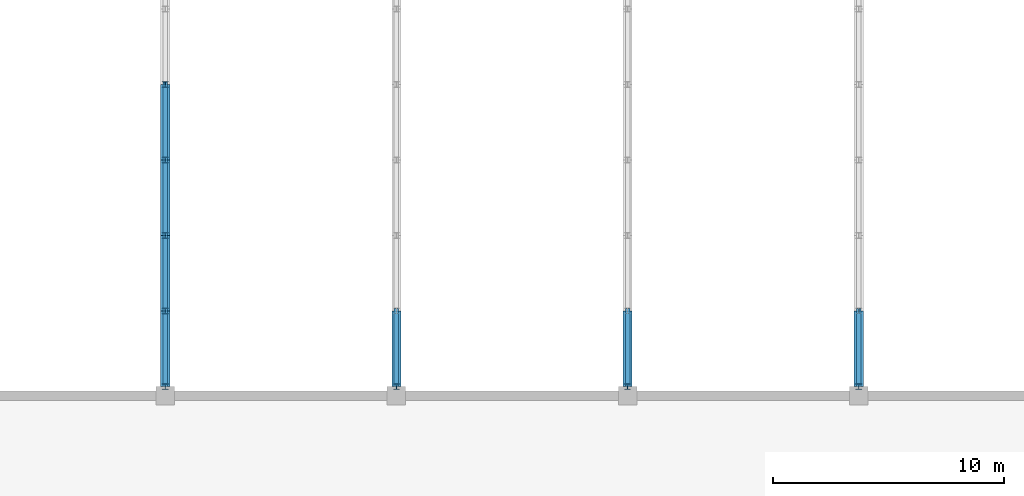
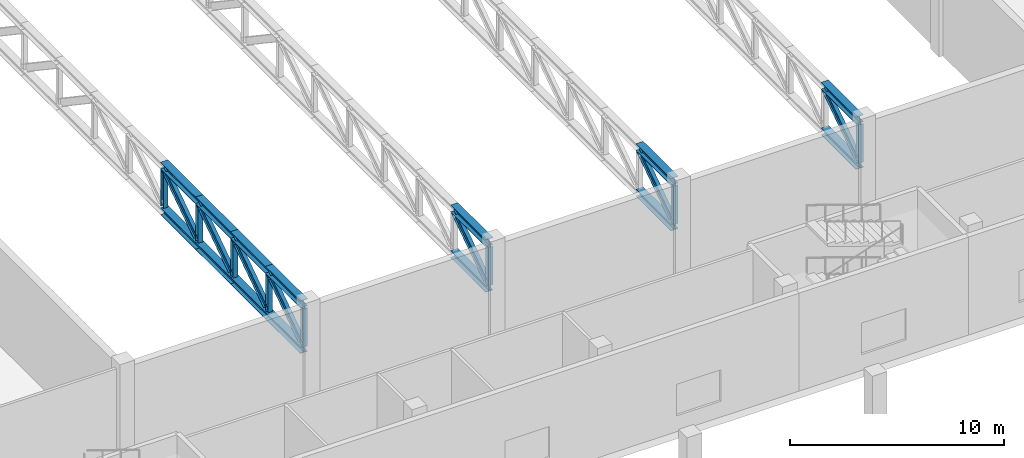
# One storey, part 17 of 51: 29 members.
"""IFC4 building model written with IfcOpenShell, lengths in metres."""

from ifc_helpers import new_model, si_unit, direction, frame, origin, origin_2d, place, context, subcontext, project, spatial, i_section, extrude, material, material_profile, profile_set, type_object, element, save


model = new_model("IFC4")

# Units and contexts
model_context = context("Model", 3, precision=1e-05, world=origin(), true_north=direction((0.0, 1.0)))
body_context = subcontext(model_context, "Body", "Model", "MODEL_VIEW")
ifc_project = project(units=[si_unit("LENGTHUNIT", "METRE"), si_unit("AREAUNIT", "SQUARE_METRE"), si_unit("VOLUMEUNIT", "CUBIC_METRE"), si_unit("PLANEANGLEUNIT", "RADIAN"), si_unit("MASSUNIT", "GRAM", prefix="KILO")], contexts=[model_context])

# Site, building, storey
site_placement = place(None, origin())
site = spatial("IfcSite", under=ifc_project, at=site_placement, CompositionType="ELEMENT")
building_placement = place(site_placement, origin())
building = spatial("IfcBuilding", under=site, at=building_placement, Name="Jabali Bay Hotel Tower and Convention Centre", CompositionType="ELEMENT")
storey_placement = place(building_placement, frame((0.0, 0.0, 9.0)))
storey = spatial("IfcBuildingStorey", under=building, at=storey_placement, Name="L01", CompositionType="ELEMENT", Elevation=9.0)

# Members
ifc_material = material(Name="Steel Q355B", Category="steel")
ifc_material_profile_1 = material_profile(ifc_material, i_section(OverallWidth=0.39990234375, OverallDepth=0.39990234375, WebThickness=0.012939453125, FlangeThickness=0.02099609375, at=origin_2d()), Name="HW400x400x13x21")
ifc_profile_set_1 = profile_set([ifc_material_profile_1], Name="Steel Q355B")
member_type_1 = type_object("IfcMemberType", Name="CC Floor Truss Chord HW400x400x13x21", PredefinedType="CHORD", material=ifc_profile_set_1)
for number, where, z_axis, x_axis, name in (
    (1, (180.699951171875, 60.39990234375, 5.389892578125), (0.0, 1.0, 0.0), (-1.0, 0.0, 0.0), "CC floor truss F1 top chord 1"),
    (2, (180.699951171875, 60.39990234375, 2.7900390625), (0.0, 1.0, 0.0), (-1.0, 0.0, 0.0), "CC floor truss F1 bottom chord 1"),
):
    element("IfcMember", number, at=place(storey_placement, frame(where, z_axis=z_axis, x_axis=x_axis)), inside=storey, type_object=member_type_1, Name=name, PredefinedType="CHORD", context=body_context, shape_type="SweptSolid", body=[
        extrude(i_section(OverallWidth=0.39990234375, OverallDepth=0.39990234375, WebThickness=0.012939453125, FlangeThickness=0.02099609375, at=origin_2d()), origin(), (0.0, 0.0, 1.0), 3.266845703125),
    ])
for number, where, z_axis, x_axis, name in (
    (3, (180.699951171875, 63.666748046875, 5.389892578125), (0.0, 1.0, 0.0), (-1.0, 0.0, 0.0), "CC floor truss F1 top chord 2"),
    (4, (180.699951171875, 63.666748046875, 2.7900390625), (0.0, 1.0, 0.0), (-1.0, 0.0, 0.0), "CC floor truss F1 bottom chord 2"),
    (5, (180.699951171875, 66.933349609375, 5.389892578125), (0.0, 1.0, 0.0), (-1.0, 0.0, 0.0), "CC floor truss F1 top chord 3"),
    (6, (180.699951171875, 66.933349609375, 2.7900390625), (0.0, 1.0, 0.0), (-1.0, 0.0, 0.0), "CC floor truss F1 bottom chord 3"),
    (7, (180.699951171875, 70.199951171875, 5.389892578125), (0.0, 1.0, 0.0), (-1.0, 0.0, 0.0), "CC floor truss F1 top chord 4"),
    (8, (180.699951171875, 70.199951171875, 2.7900390625), (0.0, 1.0, 0.0), (-1.0, 0.0, 0.0), "CC floor truss F1 bottom chord 4"),
):
    element("IfcMember", number, at=place(storey_placement, frame(where, z_axis=z_axis, x_axis=x_axis)), inside=storey, type_object=member_type_1, Name=name, PredefinedType="CHORD", context=body_context, shape_type="SweptSolid", body=[
        extrude(i_section(OverallWidth=0.39990234375, OverallDepth=0.39990234375, WebThickness=0.012939453125, FlangeThickness=0.02099609375, at=origin_2d()), origin(), (0.0, 0.0, 1.0), 3.2666015625),
    ])
for number, where, z_axis, x_axis, name in (
    (9, (190.699951171875, 60.39990234375, 5.389892578125), (0.0, 1.0, 0.0), (-1.0, 0.0, 0.0), "CC floor truss F2 top chord 1"),
    (10, (190.699951171875, 60.39990234375, 2.7900390625), (0.0, 1.0, 0.0), (-1.0, 0.0, 0.0), "CC floor truss F2 bottom chord 1"),
    (11, (200.699951171875, 60.39990234375, 5.389892578125), (0.0, 1.0, 0.0), (-1.0, 0.0, 0.0), "CC floor truss F3 top chord 1"),
    (12, (200.699951171875, 60.39990234375, 2.7900390625), (0.0, 1.0, 0.0), (-1.0, 0.0, 0.0), "CC floor truss F3 bottom chord 1"),
    (13, (210.699951171875, 60.39990234375, 5.389892578125), (0.0, 1.0, 0.0), (-1.0, 0.0, 0.0), "CC floor truss F4 top chord 1"),
    (14, (210.699951171875, 60.39990234375, 2.7900390625), (0.0, 1.0, 0.0), (-1.0, 0.0, 0.0), "CC floor truss F4 bottom chord 1"),
):
    element("IfcMember", number, at=place(storey_placement, frame(where, z_axis=z_axis, x_axis=x_axis)), inside=storey, type_object=member_type_1, Name=name, PredefinedType="CHORD", context=body_context, shape_type="SweptSolid", body=[
        extrude(i_section(OverallWidth=0.39990234375, OverallDepth=0.39990234375, WebThickness=0.012939453125, FlangeThickness=0.02099609375, at=origin_2d()), origin(), (0.0, 0.0, 1.0), 3.266845703125),
    ])
ifc_material_profile_2 = material_profile(ifc_material, i_section(OverallWidth=0.199951171875, OverallDepth=0.39990234375, WebThickness=0.008056640625, FlangeThickness=0.012939453125, at=origin_2d()), Name="HN400x200x8x13")
ifc_profile_set_2 = profile_set([ifc_material_profile_2], Name="Steel Q355B")
member_type_2 = type_object("IfcMemberType", Name="CC Floor Truss Diagonal HN400x200x8x13", PredefinedType="BRACE", material=ifc_profile_set_2)
member_placement = place(storey_placement, frame((180.699951171875, 60.39990234375, 2.989990234375), z_axis=(0.0, 0.829456854988, 0.558570788453), x_axis=(-1.0, 0.0, 0.0)))
element("IfcMember", 15, at=member_placement, inside=storey, type_object=member_type_2, Name="CC floor truss F1 diagonal 1", PredefinedType="BRACE", context=body_context, shape_type="SweptSolid", body=[
    extrude(i_section(OverallWidth=0.199951171875, OverallDepth=0.39990234375, WebThickness=0.008056640625, FlangeThickness=0.012939453125, at=origin_2d()), origin(), (0.0, 0.0, 1.0), 3.9384765625),
])
for number, where, z_axis, x_axis, name in (
    (16, (180.699951171875, 63.666748046875, 2.989990234375), (0.0, 0.829437513265, 0.55859950912), (-1.0, 0.0, 0.0), "CC floor truss F1 diagonal 2"),
    (17, (180.699951171875, 66.933349609375, 2.989990234375), (0.0, 0.829437513265, 0.55859950912), (-1.0, 0.0, 0.0), "CC floor truss F1 diagonal 3"),
    (18, (180.699951171875, 70.199951171875, 2.989990234375), (0.0, 0.829437513265, 0.55859950912), (-1.0, 0.0, 0.0), "CC floor truss F1 diagonal 4"),
):
    element("IfcMember", number, at=place(storey_placement, frame(where, z_axis=z_axis, x_axis=x_axis)), inside=storey, type_object=member_type_2, Name=name, PredefinedType="BRACE", context=body_context, shape_type="SweptSolid", body=[
        extrude(i_section(OverallWidth=0.199951171875, OverallDepth=0.39990234375, WebThickness=0.008056640625, FlangeThickness=0.012939453125, at=origin_2d()), origin(), (0.0, 0.0, 1.0), 3.938232421875),
    ])
for number, where, z_axis, x_axis, name in (
    (19, (190.699951171875, 60.39990234375, 2.989990234375), (0.0, 0.829456854988, 0.558570788453), (-1.0, 0.0, 0.0), "CC floor truss F2 diagonal 1"),
    (20, (200.699951171875, 60.39990234375, 2.989990234375), (0.0, 0.829456854988, 0.558570788453), (-1.0, 0.0, 0.0), "CC floor truss F3 diagonal 1"),
    (21, (210.699951171875, 60.39990234375, 2.989990234375), (0.0, 0.829456854988, 0.558570788453), (-1.0, 0.0, 0.0), "CC floor truss F4 diagonal 1"),
):
    element("IfcMember", number, at=place(storey_placement, frame(where, z_axis=z_axis, x_axis=x_axis)), inside=storey, type_object=member_type_2, Name=name, PredefinedType="BRACE", context=body_context, shape_type="SweptSolid", body=[
        extrude(i_section(OverallWidth=0.199951171875, OverallDepth=0.39990234375, WebThickness=0.008056640625, FlangeThickness=0.012939453125, at=origin_2d()), origin(), (0.0, 0.0, 1.0), 3.9384765625),
    ])
ifc_material_profile_3 = material_profile(ifc_material, i_section(OverallWidth=0.25, OverallDepth=0.25, WebThickness=0.009033203125, FlangeThickness=0.013916015625, at=origin_2d()), Name="HW250x250x9x14")
ifc_profile_set_3 = profile_set([ifc_material_profile_3], Name="Steel Q355B")
member_type_3 = type_object("IfcMemberType", Name="CC Floor Truss Post HW250x250x9x14", PredefinedType="POST", material=ifc_profile_set_3)
for number, where, z_axis, x_axis, name in (
    (22, (180.699951171875, 60.39990234375, 2.989990234375), (0.0, 0.0, 1.0), (1.0, 0.0, 0.0), "CC floor truss F1 post 1"),
    (23, (180.699951171875, 63.666748046875, 2.989990234375), (0.0, 0.0, 1.0), (1.0, 0.0, 0.0), "CC floor truss F1 post 2"),
    (24, (180.699951171875, 66.933349609375, 2.989990234375), (0.0, 0.0, 1.0), (1.0, 0.0, 0.0), "CC floor truss F1 post 3"),
    (25, (180.699951171875, 70.199951171875, 2.989990234375), (0.0, 0.0, 1.0), (1.0, 0.0, 0.0), "CC floor truss F1 post 4"),
    (26, (180.699951171875, 73.466552734375, 2.989990234375), (0.0, 0.0, 1.0), (1.0, 0.0, 0.0), "CC floor truss F1 post 5"),
    (27, (190.699951171875, 60.39990234375, 2.989990234375), (0.0, 0.0, 1.0), (1.0, 0.0, 0.0), "CC floor truss F2 post 1"),
    (28, (200.699951171875, 60.39990234375, 2.989990234375), (0.0, 0.0, 1.0), (1.0, 0.0, 0.0), "CC floor truss F3 post 1"),
    (29, (210.699951171875, 60.39990234375, 2.989990234375), (0.0, 0.0, 1.0), (1.0, 0.0, 0.0), "CC floor truss F4 post 1"),
):
    element("IfcMember", number, at=place(storey_placement, frame(where, z_axis=z_axis, x_axis=x_axis)), inside=storey, type_object=member_type_3, Name=name, PredefinedType="POST", context=body_context, shape_type="SweptSolid", body=[
        extrude(i_section(OverallWidth=0.25, OverallDepth=0.25, WebThickness=0.009033203125, FlangeThickness=0.013916015625, at=origin_2d()), origin(), (0.0, 0.0, 1.0), 2.199951171875),
    ])

save(model, "model.ifc")
